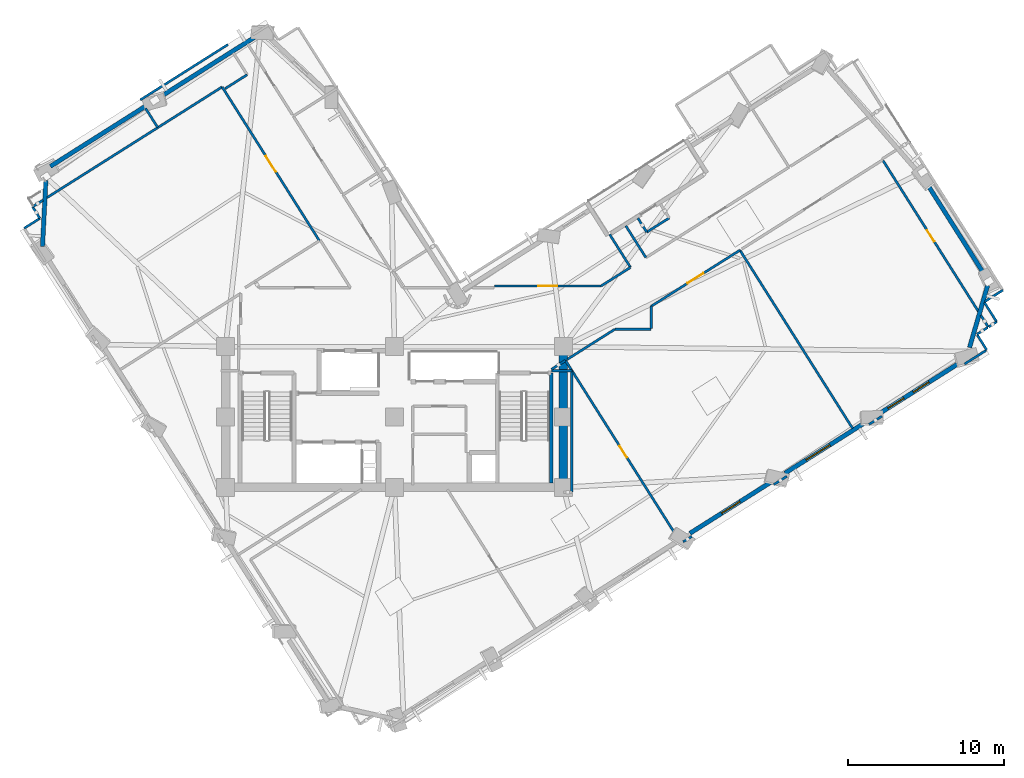
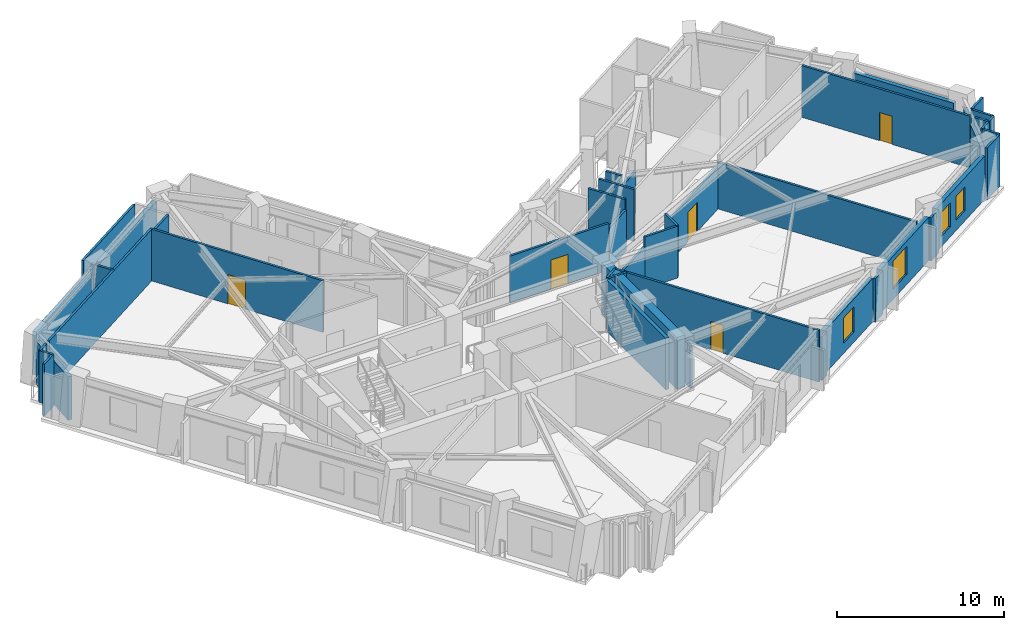
# One storey, part 7 of 14: 44 walls, 5 doors, 4 windows, 9 openings.
"""IFC4 building model written with IfcOpenShell, lengths in metres."""

import ifcopenshell
import ifcopenshell.guid

model = None  # the IFC model being written
_history = None  # IfcOwnerHistory: only IFC2X3 demands one
_inside = {}  # id of a spatial element -> (the spatial element, [elements in it])
_under = {}  # id of a project, library or spatial element -> (it, [spatial elements below it])
_declared = {}  # id of a project -> (the project, [libraries it declares])
_typed = {}  # id of a type object -> (the type object, [elements of that type])
_made_of = {}  # id of a material, layer set ... -> (it, [elements and type objects made of it])


def new_model(schema):
    """Start an empty IFC model of exactly this schema.

    Asked for "IFC4X3", IfcOpenShell would pick the latest addendum, in which some entities
    have other attributes; the version numbers below select the first issue.
    IFC2X3 requires an IfcOwnerHistory on every rooted entity: one is made here for all.
    """
    global model, _history
    if schema == "IFC4X3":
        model = ifcopenshell.file(schema_version=(4, 3, 0, 0))
    else:
        model = ifcopenshell.file(schema=schema)
    _inside.clear()
    _under.clear()
    _declared.clear()
    _typed.clear()
    _made_of.clear()
    _history = None
    if model.schema == "IFC2X3":
        org = make("IfcOrganization", Name="unknown")
        user = make(
            "IfcPersonAndOrganization",
            ThePerson=make("IfcPerson", FamilyName="unknown"),
            TheOrganization=org,
        )
        app = make(
            "IfcApplication",
            ApplicationDeveloper=org,
            Version="unknown",
            ApplicationFullName="unknown",
            ApplicationIdentifier="unknown",
        )
        _history = make(
            "IfcOwnerHistory",
            OwningUser=user,
            OwningApplication=app,
            ChangeAction="ADDED",
            CreationDate=0,
        )
    return model


def make(cls, **values):
    """One entity of the class cls with the attributes given. An attribute that is None is left unset."""
    return model.create_entity(
        cls, **{name: value for name, value in values.items() if value is not None}
    )


def rooted(cls, **values):
    """An entity with a GlobalId (a new one), such as an element, a storey or a relation."""
    return make(cls, GlobalId=ifcopenshell.guid.new(), OwnerHistory=_history, **values)


def si_unit(unit_type, name, prefix=None):
    """IfcSIUnit, for example si_unit("LENGTHUNIT", "METRE", prefix="MILLI")."""
    return make("IfcSIUnit", UnitType=unit_type, Prefix=prefix, Name=name)


def assignment(units):
    """IfcUnitAssignment: the units of a project."""
    return None if units is None else make("IfcUnitAssignment", Units=units)


def point(xyz):
    """IfcCartesianPoint."""
    return None if xyz is None else make("IfcCartesianPoint", Coordinates=xyz)


def direction(xyz):
    """IfcDirection."""
    return None if xyz is None else make("IfcDirection", DirectionRatios=xyz)


def frame(location, z_axis=None, x_axis=None):
    """IfcAxis2Placement3D, a coordinate frame: its origin and axes. An axis left out is left unset."""
    return make(
        "IfcAxis2Placement3D",
        Location=point(location),
        Axis=direction(z_axis),
        RefDirection=direction(x_axis),
    )


def frame_2d(location, x_axis=None):
    """IfcAxis2Placement2D, a coordinate frame in the plane: its origin and x axis."""
    return make(
        "IfcAxis2Placement2D", Location=point(location), RefDirection=direction(x_axis)
    )


def origin():
    """The frame at (0, 0, 0) with its axes left unset."""
    return frame((0.0, 0.0, 0.0))


def place(relative_to, where):
    """IfcLocalPlacement: puts the frame where relative to a parent placement (None: the world)."""
    return make(
        "IfcLocalPlacement", PlacementRelTo=relative_to, RelativePlacement=where
    )


def context(
    kind, dimensions, precision=None, world=None, true_north=None, identifier=None
):
    """IfcGeometricRepresentationContext, for example the 3D "Model" context."""
    return make(
        "IfcGeometricRepresentationContext",
        ContextIdentifier=identifier,
        ContextType=kind,
        CoordinateSpaceDimension=dimensions,
        Precision=precision,
        WorldCoordinateSystem=world,
        TrueNorth=true_north,
    )


def subcontext(parent, identifier, kind, view, scale=None):
    """IfcGeometricRepresentationSubContext, for example "Body" below "Model"."""
    return make(
        "IfcGeometricRepresentationSubContext",
        ContextIdentifier=identifier,
        ContextType=kind,
        ParentContext=parent,
        TargetScale=scale,
        TargetView=view,
    )


def project(units=None, contexts=None):
    """IfcProject with its units and contexts."""
    return rooted(
        "IfcProject",
        Name="project",
        RepresentationContexts=contexts,
        UnitsInContext=assignment(units),
    )


def spatial(cls, under=None, at=None, **own):
    """A site, building, storey or space (cls), placed at a placement, below another one or the project."""
    s = rooted(cls, ObjectPlacement=at, **own)
    if under is not None:
        _under.setdefault(under.id(), (under, []))[1].append(s)
    return s


def profile(cls, at=None, kind="AREA", **sizes):
    """A parametric profile (cls). Its sizes go by their IFC names, for example OverallWidth=200.0."""
    return make(cls, ProfileType=kind, Position=at, **sizes)


def rectangle(**sizes):
    """IfcRectangleProfileDef."""
    return profile("IfcRectangleProfileDef", **sizes)


def extrude(swept, where, along, depth):
    """IfcExtrudedAreaSolid: the profile swept, set in the frame where, extruded along a direction by depth."""
    return make(
        "IfcExtrudedAreaSolid",
        SweptArea=swept,
        Position=where,
        ExtrudedDirection=direction(along),
        Depth=depth,
    )


def shape(context_of_items, identifier, shape_type, items):
    """IfcShapeRepresentation: the items that make up one representation, for example the "Body"."""
    return make(
        "IfcShapeRepresentation",
        ContextOfItems=context_of_items,
        RepresentationIdentifier=identifier,
        RepresentationType=shape_type,
        Items=items,
    )


def material(Name=None, Category=None):
    """IfcMaterial."""
    return make("IfcMaterial", Name=Name, Category=Category)


def layer(
    of_material, thickness, ventilated=None, Name=None, Category=None, Priority=None
):
    """IfcMaterialLayer: one layer of a wall or slab, of a material (None: an air gap)."""
    return make(
        "IfcMaterialLayer",
        Material=of_material,
        LayerThickness=thickness,
        IsVentilated=ventilated,
        Name=Name,
        Category=Category,
        Priority=Priority,
    )


def layer_set(layers, Name=None):
    """IfcMaterialLayerSet."""
    return make("IfcMaterialLayerSet", MaterialLayers=layers, LayerSetName=Name)


def made_of(thing, what):
    """Note that an element or type object is made of a material, layer set ...; save() writes the relation."""
    if what is not None:
        _made_of.setdefault(what.id(), (what, []))[1].append(thing)
    return thing


def type_object(cls, material=None, **own):
    """A type object (cls), such as IfcWallType, which elements share."""
    return made_of(rooted(cls, **own), material)


def element(
    cls,
    number,
    at=None,
    inside=None,
    cuts=None,
    type_object=None,
    material=None,
    context=None,
    identifier="Body",
    shape_type=None,
    held_by="IfcProductDefinitionShape",
    body=None,
    shapes=None,
    **own,
):
    """One element of the class cls, such as IfcWall. Its Tag is "e" and its number.

    at: its placement. inside: the storey or other place that contains it. cuts: it is an
    opening in that element (IfcRelVoidsElement). A single representation is given by context,
    identifier, shape_type and body (its items); several are given by shapes. held_by: the class
    of the entity that holds the representations. save() writes the other relations.
    """
    e = rooted(cls, Tag="e%d" % number, ObjectPlacement=at, **own)
    if body is not None:
        shapes = [shape(context, identifier, shape_type, body)]
    if shapes is not None:
        e.Representation = make(held_by, Representations=shapes)
    if inside is not None:
        _inside.setdefault(inside.id(), (inside, []))[1].append(e)
    if cuts is not None:
        rooted(
            "IfcRelVoidsElement", RelatingBuildingElement=cuts, RelatedOpeningElement=e
        )
    if type_object is not None:
        _typed.setdefault(type_object.id(), (type_object, []))[1].append(e)
    return made_of(e, material)


def fill(opening, filler):
    """IfcRelFillsElement: the door or window that sits in an opening."""
    return rooted(
        "IfcRelFillsElement",
        RelatingOpeningElement=opening,
        RelatedBuildingElement=filler,
    )


def aggregate(whole, parts):
    """IfcRelAggregates: a whole, such as a stair, and the parts it consists of."""
    return rooted("IfcRelAggregates", RelatingObject=whole, RelatedObjects=parts)


def save(model, path):
    """Write the relations noted so far, then the file.

    IfcRelAggregates (storeys below a building ...), IfcRelContainedInSpatialStructure (elements
    in a storey), IfcRelDefinesByType, IfcRelAssociatesMaterial and IfcRelDeclares: one each for
    every whole, place, type object, material and project.
    """
    for whole, parts in _under.values():
        aggregate(whole, parts)
    for where, things in _inside.values():
        rooted(
            "IfcRelContainedInSpatialStructure",
            RelatedElements=things,
            RelatingStructure=where,
        )
    for kind, things in _typed.values():
        rooted("IfcRelDefinesByType", RelatedObjects=things, RelatingType=kind)
    for what, things in _made_of.values():
        rooted("IfcRelAssociatesMaterial", RelatedObjects=things, RelatingMaterial=what)
    for by, libraries in _declared.values():
        rooted("IfcRelDeclares", RelatingContext=by, RelatedDefinitions=libraries)
    model.write(path)


model = new_model("IFC4")

# Units and contexts
model_context = context("Model", 3, precision=1e-05, world=origin(), true_north=direction((0.0, 1.0)))
body_context = subcontext(model_context, "Body", "Model", "MODEL_VIEW")
ifc_project = project(units=[si_unit("LENGTHUNIT", "METRE"), si_unit("AREAUNIT", "SQUARE_METRE"), si_unit("VOLUMEUNIT", "CUBIC_METRE"), si_unit("PLANEANGLEUNIT", "RADIAN"), si_unit("MASSUNIT", "GRAM", prefix="KILO")], contexts=[model_context])

# Site, building, storey
site_placement = place(None, origin())
site = spatial("IfcSite", under=ifc_project, at=site_placement, CompositionType="ELEMENT")
building_placement = place(site_placement, origin())
building = spatial("IfcBuilding", under=site, at=building_placement, Name="Gaonmaruhae Medical Tower", CompositionType="ELEMENT")
storey_placement = place(building_placement, frame((0.0, 0.0, 161.800048828125)))
storey = spatial("IfcBuildingStorey", under=building, at=storey_placement, Name="L38", CompositionType="ELEMENT", Elevation=161.800048828125)

# Wall
ifc_material_1 = material(Name="Concrete C50/60", Category="concrete")
ifc_layer_1 = layer(ifc_material_1, 0.550048828125)
ifc_layer_set_1 = layer_set([ifc_layer_1], Name="Concrete C50/60")
wall_type_1 = type_object("IfcWallType", Name="CW-550 Mid-High Core Shear Wall", PredefinedType="SHEAR", material=ifc_layer_set_1)
wall_1_placement = place(storey_placement, frame((35.60009765625, 7.800048828125, 0.0), z_axis=(0.0, 0.0, 1.0), x_axis=(0.0, 1.0, 0.0)))
element("IfcWall", 1, at=wall_1_placement, inside=storey, type_object=wall_type_1, Name="L38 Core Shear Wall CSW-E1", PredefinedType="SHEAR", context=body_context, shape_type="SweptSolid", body=[
    extrude(rectangle(XDim=9.0, YDim=0.550048828125, at=frame_2d((4.5, 0.0))), origin(), (0.0, 0.0, 1.0), 3.780029296875),
])

# Wall, opening, window
ifc_material_2 = material(Name="Precast concrete C45/55", Category="concrete")
ifc_layer_2 = layer(ifc_material_2, 0.280029296875)
ifc_layer_set_2 = layer_set([ifc_layer_2], Name="Precast concrete C45/55")
wall_type_2 = type_object("IfcWallType", Name="EW-280 Upper Precast Masonry-Frame Facade Wall", PredefinedType="SOLIDWALL", material=ifc_layer_set_2)
wall_2_placement = place(storey_placement, frame((48.94580078125, 8.177978515625, 0.0), z_axis=(0.0, 0.0, 1.0), x_axis=(-0.845265511335, -0.534346531147, 0.0)))
wall_2 = element("IfcWall", 2, at=wall_2_placement, inside=storey, type_object=wall_type_2, Name="L38 Precast Masonry-Frame Wall S04-S05", PredefinedType="SOLIDWALL", context=body_context, shape_type="SweptSolid", body=[
    extrude(rectangle(XDim=6.208740234375, YDim=0.280029296875, at=frame_2d((3.1044921875, 0.0))), origin(), (0.0, 0.0, 1.0), 3.1650390625),
])
opening_1_placement = place(wall_2_placement, frame((2.40478515625, 0.0, 0.75)))
opening_1 = element("IfcOpeningElement", 3, at=opening_1_placement, cuts=wall_2, Name="Opening WN-03", PredefinedType="OPENING", context=body_context, shape_type="SweptSolid", body=[
    extrude(rectangle(XDim=1.39990234375, YDim=1.85009765625, at=frame_2d((0.699951171875, 0.925048828125))), frame((0.0, 0.14990234375, 0.0), z_axis=(0.0, -1.0, 0.0), x_axis=(1.0, 0.0, 0.0)), (0.0, 0.0, 1.0), 0.300048828125),
])
ifc_material_3 = material(Name="Anodised aluminium and Low-E double glazing", Category="aluminium")
window_type_1 = type_object("IfcWindowType", Name="WN-03 Isolation Ward Punched Window 1400x1850", PartitioningType="SINGLE_PANEL", PredefinedType="WINDOW", material=ifc_material_3)
window_1_placement = place(opening_1_placement, origin())
window_1 = element("IfcWindow", 4, at=window_1_placement, inside=storey, type_object=window_type_1, Name="L38 Modular Facade Window S04", OverallHeight=1.85009765625, OverallWidth=1.39990234375, PartitioningType="SINGLE_PANEL", PredefinedType="WINDOW", context=body_context, shape_type="SweptSolid", body=[
    extrude(rectangle(XDim=1.39990234375, YDim=1.85009765625, at=frame_2d((0.699951171875, 0.925048828125))), frame((0.0, 0.030029296875, 0.0), z_axis=(0.0, -1.0, 0.0), x_axis=(1.0, 0.0, 0.0)), (0.0, 0.0, 1.0), 0.06005859375),
])
fill(opening_1, window_1)

wall_3_placement = place(storey_placement, frame((55.038330078125, 12.029541015625, 0.0), z_axis=(0.0, 0.0, 1.0), x_axis=(-0.845251842868, -0.53436815224, 0.0)))
wall_3 = element("IfcWall", 5, at=wall_3_placement, inside=storey, type_object=wall_type_2, Name="L38 Precast Masonry-Frame Wall S05-S06", PredefinedType="SOLIDWALL", context=body_context, shape_type="SweptSolid", body=[
    extrude(rectangle(XDim=6.218017578125, YDim=0.280029296875, at=frame_2d((3.10888671875, 0.0))), origin(), (0.0, 0.0, 1.0), 3.1650390625),
])
opening_2_placement = place(wall_3_placement, frame((2.829833984375, 0.0, 0.75)))
opening_2 = element("IfcOpeningElement", 6, at=opening_2_placement, cuts=wall_3, Name="Opening WN-04", PredefinedType="OPENING", context=body_context, shape_type="SweptSolid", body=[
    extrude(rectangle(XDim=1.800048828125, YDim=2.050048828125, at=frame_2d((0.89990234375, 1.02490234375))), frame((0.0, 0.14990234375, 0.0), z_axis=(0.0, -1.0, 0.0), x_axis=(1.0, 0.0, 0.0)), (0.0, 0.0, 1.0), 0.300048828125),
])
window_type_2 = type_object("IfcWindowType", Name="WN-04 Clinic & Consult Punched Window 1800x2050", PartitioningType="SINGLE_PANEL", PredefinedType="WINDOW", material=ifc_material_3)
window_2_placement = place(opening_2_placement, origin())
window_2 = element("IfcWindow", 7, at=window_2_placement, inside=storey, type_object=window_type_2, Name="L38 Modular Facade Window S05", OverallHeight=2.050048828125, OverallWidth=1.800048828125, PartitioningType="SINGLE_PANEL", PredefinedType="WINDOW", context=body_context, shape_type="SweptSolid", body=[
    extrude(rectangle(XDim=1.800048828125, YDim=2.050048828125, at=frame_2d((0.89990234375, 1.02490234375))), frame((0.0, 0.030029296875, 0.0), z_axis=(0.0, -1.0, 0.0), x_axis=(1.0, 0.0, 0.0)), (0.0, 0.0, 1.0), 0.06005859375),
])
fill(opening_2, window_2)

# Wall, openings, windows
wall_4_placement = place(storey_placement, frame((61.13720703125, 15.885009765625, 0.0), z_axis=(0.0, 0.0, 1.0), x_axis=(-0.845271359126, -0.534337280602, 0.0)))
wall_4 = element("IfcWall", 8, at=wall_4_placement, inside=storey, type_object=wall_type_2, Name="L38 Precast Masonry-Frame Wall S06-S07", PredefinedType="SOLIDWALL", context=body_context, shape_type="SweptSolid", body=[
    extrude(rectangle(XDim=6.2421875, YDim=0.280029296875, at=frame_2d((3.12109375, 0.0))), origin(), (0.0, 0.0, 1.0), 3.1650390625),
])
opening_3_placement = place(wall_4_placement, frame((2.525146484375, 0.0, 0.75)))
opening_3 = element("IfcOpeningElement", 9, at=opening_3_placement, cuts=wall_4, Name="Opening WN-05", PredefinedType="OPENING", context=body_context, shape_type="SweptSolid", body=[
    extrude(rectangle(XDim=1.199951171875, YDim=1.75, at=frame_2d((0.60009765625, 0.875))), frame((0.0, 0.14990234375, 0.0), z_axis=(0.0, -1.0, 0.0), x_axis=(1.0, 0.0, 0.0)), (0.0, 0.0, 1.0), 0.300048828125),
])
opening_4_placement = place(wall_4_placement, frame((4.4462890625, 0.0, 0.75)))
opening_4 = element("IfcOpeningElement", 10, at=opening_4_placement, cuts=wall_4, Name="Opening WN-05", PredefinedType="OPENING", context=body_context, shape_type="SweptSolid", body=[
    extrude(rectangle(XDim=1.199951171875, YDim=1.75, at=frame_2d((0.60009765625, 0.875))), frame((0.0, 0.14990234375, 0.0), z_axis=(0.0, -1.0, 0.0), x_axis=(1.0, 0.0, 0.0)), (0.0, 0.0, 1.0), 0.300048828125),
])
window_type_3 = type_object("IfcWindowType", Name="WN-05 Support & Staff Punched Window 1200x1750", PartitioningType="SINGLE_PANEL", PredefinedType="WINDOW", material=ifc_material_3)
window_3_placement = place(opening_3_placement, origin())
window_3 = element("IfcWindow", 11, at=window_3_placement, inside=storey, type_object=window_type_3, Name="L38 Modular Facade Window S06", OverallHeight=1.75, OverallWidth=1.199951171875, PartitioningType="SINGLE_PANEL", PredefinedType="WINDOW", context=body_context, shape_type="SweptSolid", body=[
    extrude(rectangle(XDim=1.199951171875, YDim=1.75, at=frame_2d((0.60009765625, 0.875))), frame((0.0, 0.030029296875, 0.0), z_axis=(0.0, -1.0, 0.0), x_axis=(1.0, 0.0, 0.0)), (0.0, 0.0, 1.0), 0.06005859375),
])
fill(opening_3, window_3)
window_4_placement = place(opening_4_placement, origin())
window_4 = element("IfcWindow", 12, at=window_4_placement, inside=storey, type_object=window_type_3, Name="L38 Modular Facade Window S06B", OverallHeight=1.75, OverallWidth=1.199951171875, PartitioningType="SINGLE_PANEL", PredefinedType="WINDOW", context=body_context, shape_type="SweptSolid", body=[
    extrude(rectangle(XDim=1.199951171875, YDim=1.75, at=frame_2d((0.60009765625, 0.875))), frame((0.0, 0.030029296875, 0.0), z_axis=(0.0, -1.0, 0.0), x_axis=(1.0, 0.0, 0.0)), (0.0, 0.0, 1.0), 0.06005859375),
])
fill(opening_4, window_4)

# Walls
wall_5_placement = place(storey_placement, frame((62.746826171875, 20.7265625, 0.0), z_axis=(0.0, 0.0, 1.0), x_axis=(-0.279882390753, -0.96003429488, 0.0)))
element("IfcWall", 13, at=wall_5_placement, inside=storey, type_object=wall_type_2, Name="L38 Precast Masonry-Frame Wall S07-E01", PredefinedType="SOLIDWALL", context=body_context, shape_type="SweptSolid", body=[
    extrude(rectangle(XDim=4.145263671875, YDim=0.280029296875, at=frame_2d((2.07275390625, 0.0))), origin(), (0.0, 0.0, 1.0), 3.1650390625),
])
wall_6_placement = place(storey_placement, frame((58.809814453125, 27.309814453125, 0.0), z_axis=(0.0, 0.0, 1.0), x_axis=(0.534364927874, -0.845253881303, 0.0)))
element("IfcWall", 14, at=wall_6_placement, inside=storey, type_object=wall_type_2, Name="L38 Precast Masonry-Frame Wall E01-E02", PredefinedType="SOLIDWALL", context=body_context, shape_type="SweptSolid", body=[
    extrude(rectangle(XDim=6.83984375, YDim=0.280029296875, at=frame_2d((3.419921875, 0.0))), origin(), (0.0, 0.0, 1.0), 3.1650390625),
])
wall_7_placement = place(storey_placement, frame((9.739501953125, 32.7265625, 0.0), z_axis=(0.0, 0.0, 1.0), x_axis=(0.845259360398, 0.534356260991, 0.0)))
element("IfcWall", 15, at=wall_7_placement, inside=storey, type_object=wall_type_2, Name="L38 Precast Masonry-Frame Wall N01-N02", PredefinedType="SOLIDWALL", context=body_context, shape_type="SweptSolid", body=[
    extrude(rectangle(XDim=7.230712890625, YDim=0.280029296875, at=frame_2d((3.615234375, 0.0))), origin(), (0.0, 0.0, 1.0), 3.1650390625),
])
wall_8_placement = place(storey_placement, frame((2.78759765625, 28.331787109375, 0.0), z_axis=(0.0, 0.0, 1.0), x_axis=(0.845259004131, 0.534356824543, 0.0)))
element("IfcWall", 16, at=wall_8_placement, inside=storey, type_object=wall_type_2, Name="L38 Precast Masonry-Frame Wall N02-N03", PredefinedType="SOLIDWALL", context=body_context, shape_type="SweptSolid", body=[
    extrude(rectangle(XDim=7.27001953125, YDim=0.280029296875, at=frame_2d((3.635009765625, 0.0))), origin(), (0.0, 0.0, 1.0), 3.1650390625),
])
wall_9_placement = place(storey_placement, frame((2.28759765625, 23.216796875, 0.0), z_axis=(0.0, 0.0, 1.0), x_axis=(0.050854394157, 0.998706078181, 0.0)))
element("IfcWall", 17, at=wall_9_placement, inside=storey, type_object=wall_type_2, Name="L38 Precast Masonry-Frame Wall N03-W01", PredefinedType="SOLIDWALL", context=body_context, shape_type="SweptSolid", body=[
    extrude(rectangle(XDim=4.210205078125, YDim=0.280029296875, at=frame_2d((2.10498046875, 0.0))), origin(), (0.0, 0.0, 1.0), 3.1650390625),
])
ifc_material_4 = material(Name="Gypsum board partition", Category="gypsum")
ifc_layer_3 = layer(ifc_material_4, 0.14990234375)
ifc_layer_set_3 = layer_set([ifc_layer_3], Name="Gypsum board partition")
wall_type_3 = type_object("IfcWallType", Name="PW-150 Rated Clinical Corridor Partition", PredefinedType="PARTITIONING", material=ifc_layer_set_3)
wall_10_placement = place(storey_placement, frame((36.14990234375, 15.260009765625, 0.0), z_axis=(0.0, 0.0, 1.0), x_axis=(-1.0, 0.0, 0.0)))
element("IfcWall", 18, at=wall_10_placement, inside=storey, type_object=wall_type_3, Name="L38 Interior Partition L38-SUP02-15", PredefinedType="PARTITIONING", context=body_context, shape_type="SweptSolid", body=[
    extrude(rectangle(XDim=1.2998046875, YDim=0.14990234375, at=frame_2d((0.64990234375, 0.0))), origin(), (0.0, 0.0, 1.0), 3.780029296875),
])
wall_11_placement = place(storey_placement, frame((34.85009765625, 15.35693359375, 0.0), z_axis=(0.0, 0.0, 1.0), x_axis=(0.84534574495, 0.534219591081, 0.0)))
element("IfcWall", 19, at=wall_11_placement, inside=storey, type_object=wall_type_3, Name="L38 Interior Partition L38-SUP02-16", PredefinedType="PARTITIONING", context=body_context, shape_type="SweptSolid", body=[
    extrude(rectangle(XDim=1.053955078125, YDim=0.14990234375, at=frame_2d((0.52685546875, 0.0))), origin(), (0.0, 0.0, 1.0), 3.780029296875),
])

# Wall, opening, door
wall_12_placement = place(storey_placement, frame((35.740966796875, 15.919921875, 0.0), z_axis=(0.0, 0.0, 1.0), x_axis=(0.534355579838, -0.845259791008, 0.0)))
wall_12 = element("IfcWall", 20, at=wall_12_placement, inside=storey, type_object=wall_type_3, Name="L38 Interior Partition L38-SUP02-17", PredefinedType="PARTITIONING", context=body_context, shape_type="SweptSolid", body=[
    extrude(rectangle(XDim=13.830078125, YDim=0.14990234375, at=frame_2d((6.9150390625, 0.0))), origin(), (0.0, 0.0, 1.0), 3.780029296875),
])
opening_5_placement = place(wall_12_placement, frame((6.485107421875, 0.0, 0.0)))
opening_5 = element("IfcOpeningElement", 21, at=opening_5_placement, cuts=wall_12, Name="Opening AD-01", PredefinedType="OPENING", context=body_context, shape_type="SweptSolid", body=[
    extrude(rectangle(XDim=0.860107421875, YDim=2.06005859375, at=frame_2d((0.43017578125, 1.030029296875))), frame((0.0, 0.0849609375, 0.0), z_axis=(0.0, -1.0, 0.0), x_axis=(1.0, 0.0, 0.0)), (0.0, 0.0, 1.0), 0.169921875),
])
ifc_material_5 = material(Name="Powder-coated steel access door", Category="steel")
door_type_1 = type_object("IfcDoorType", Name="AD-01 Riser & Closet Access Fire Door 860x2060", OperationType="NOTDEFINED", PredefinedType="DOOR", material=ifc_material_5)
door_1_placement = place(opening_5_placement, origin())
door_1 = element("IfcDoor", 22, at=door_1_placement, inside=storey, type_object=door_type_1, Name="L38 Clinical Biomedical Charting Office Sliding Door", OperationType="SLIDING_TO_LEFT", OverallHeight=2.06005859375, OverallWidth=0.860107421875, PredefinedType="DOOR", context=body_context, shape_type="SweptSolid", body=[
    extrude(rectangle(XDim=0.860107421875, YDim=2.06005859375, at=frame_2d((0.43017578125, 1.030029296875))), frame((0.0, 0.02490234375, 0.0), z_axis=(0.0, -1.0, 0.0), x_axis=(1.0, 0.0, 0.0)), (0.0, 0.0, 1.0), 0.050048828125),
])
fill(opening_5, door_1)

# Walls
wall_13_placement = place(storey_placement, frame((36.14990234375, 7.5, 0.0), z_axis=(0.0, 0.0, 1.0), x_axis=(0.0, 1.0, 0.0)))
element("IfcWall", 23, at=wall_13_placement, inside=storey, type_object=wall_type_3, Name="L38 Interior Partition L38-SUP02-20", PredefinedType="PARTITIONING", context=body_context, shape_type="SweptSolid", body=[
    extrude(rectangle(XDim=7.760009765625, YDim=0.14990234375, at=frame_2d((3.8798828125, 0.0))), origin(), (0.0, 0.0, 1.0), 3.06494140625),
])
wall_14_placement = place(storey_placement, frame((41.22998046875, 17.949951171875, 0.0), z_axis=(0.0, 0.0, 1.0), x_axis=(0.0, 1.0, 0.0)))
element("IfcWall", 24, at=wall_14_placement, inside=storey, type_object=wall_type_3, Name="L38 Interior Partition L38-SUP03-21", PredefinedType="PARTITIONING", context=body_context, shape_type="SweptSolid", body=[
    extrude(rectangle(XDim=1.43994140625, YDim=0.14990234375, at=frame_2d((0.719970703125, 0.0))), origin(), (0.0, 0.0, 1.0), 3.780029296875),
])

# Wall, opening, door
wall_15_placement = place(storey_placement, frame((41.22998046875, 19.389892578125, 0.0), z_axis=(0.0, 0.0, 1.0), x_axis=(0.845230176883, 0.534402421482, 0.0)))
wall_15 = element("IfcWall", 25, at=wall_15_placement, inside=storey, type_object=wall_type_3, Name="L38 Interior Partition L38-SUP03-22", PredefinedType="PARTITIONING", context=body_context, shape_type="SweptSolid", body=[
    extrude(rectangle(XDim=6.70703125, YDim=0.14990234375, at=frame_2d((3.353515625, 0.0))), origin(), (0.0, 0.0, 1.0), 3.06494140625),
])
opening_6_placement = place(wall_15_placement, frame((2.75341796875, 0.0, 0.0)))
opening_6 = element("IfcOpeningElement", 26, at=opening_6_placement, cuts=wall_15, Name="Opening CD-02", PredefinedType="OPENING", context=body_context, shape_type="SweptSolid", body=[
    extrude(rectangle(XDim=1.199951171875, YDim=2.14990234375, at=frame_2d((0.60009765625, 1.074951171875))), frame((0.0, 0.0849609375, 0.0), z_axis=(0.0, -1.0, 0.0), x_axis=(1.0, 0.0, 0.0)), (0.0, 0.0, 1.0), 0.169921875),
])
ifc_material_6 = material(Name="Antimicrobial laminate timber fire door", Category="wood")
door_type_2 = type_object("IfcDoorType", Name="CD-02 Clinical Treatment & Procedure Door 1200x2150", OperationType="NOTDEFINED", PredefinedType="DOOR", material=ifc_material_6)
door_2_placement = place(opening_6_placement, origin())
door_2 = element("IfcDoor", 27, at=door_2_placement, inside=storey, type_object=door_type_2, Name="L38 Clinical Biomedical Charting Office Door", OperationType="SINGLE_SWING_RIGHT", OverallHeight=2.14990234375, OverallWidth=1.199951171875, PredefinedType="DOOR", context=body_context, shape_type="SweptSolid", body=[
    extrude(rectangle(XDim=1.199951171875, YDim=2.14990234375, at=frame_2d((0.60009765625, 1.074951171875))), frame((0.0, 0.02490234375, 0.0), z_axis=(0.0, -1.0, 0.0), x_axis=(1.0, 0.0, 0.0)), (0.0, 0.0, 1.0), 0.050048828125),
])
fill(opening_6, door_2)

# Walls
wall_16_placement = place(storey_placement, frame((46.89892578125, 22.97412109375, 0.0), z_axis=(0.0, 0.0, 1.0), x_axis=(0.534341679517, -0.845268578341, 0.0)))
element("IfcWall", 28, at=wall_16_placement, inside=storey, type_object=wall_type_3, Name="L38 Interior Partition L38-SUP03-23", PredefinedType="PARTITIONING", context=body_context, shape_type="SweptSolid", body=[
    extrude(rectangle(XDim=13.48583984375, YDim=0.14990234375, at=frame_2d((6.742919921875, 0.0))), origin(), (0.0, 0.0, 1.0), 3.4150390625),
])
wall_17_placement = place(storey_placement, frame((49.905029296875, 8.512939453125, 0.0), z_axis=(0.0, 0.0, 1.0), x_axis=(-0.844990078889, -0.534781980418, 0.0)))
element("IfcWall", 29, at=wall_17_placement, inside=storey, type_object=wall_type_3, Name="L38 Interior Partition L38-SUP03-24", PredefinedType="PARTITIONING", context=body_context, shape_type="SweptSolid", body=[
    extrude(rectangle(XDim=0.9892578125, YDim=0.14990234375, at=frame_2d((0.49462890625, 0.0))), origin(), (0.0, 0.0, 1.0), 3.1650390625),
])
wall_18_placement = place(storey_placement, frame((43.821044921875, 4.666015625, 0.0), z_axis=(0.0, 0.0, 1.0), x_axis=(-0.845329514709, -0.534245272849, 0.0)))
element("IfcWall", 30, at=wall_18_placement, inside=storey, type_object=wall_type_3, Name="L38 Interior Partition L38-SUP03-25", PredefinedType="PARTITIONING", context=body_context, shape_type="SweptSolid", body=[
    extrude(rectangle(XDim=0.6552734375, YDim=0.14990234375, at=frame_2d((0.32763671875, 0.0))), origin(), (0.0, 0.0, 1.0), 3.1650390625),
])
wall_19_placement = place(storey_placement, frame((35.876953125, 16.006103515625, 0.0), z_axis=(0.0, 0.0, 1.0), x_axis=(0.845318811602, 0.534262207865, 0.0)))
element("IfcWall", 31, at=wall_19_placement, inside=storey, type_object=wall_type_3, Name="L38 Interior Partition L38-SUP03-26", PredefinedType="PARTITIONING", context=body_context, shape_type="SweptSolid", body=[
    extrude(rectangle(XDim=3.582275390625, YDim=0.14990234375, at=frame_2d((1.791015625, 0.0))), origin(), (0.0, 0.0, 1.0), 3.06494140625),
])
wall_20_placement = place(storey_placement, frame((38.905029296875, 17.919921875, 0.0), z_axis=(0.0, 0.0, 1.0), x_axis=(1.0, 0.0, 0.0)))
element("IfcWall", 32, at=wall_20_placement, inside=storey, type_object=wall_type_3, Name="L38 Interior Partition L38-SUP03-27", PredefinedType="PARTITIONING", context=body_context, shape_type="SweptSolid", body=[
    extrude(rectangle(XDim=2.2978515625, YDim=0.14990234375, at=frame_2d((1.14892578125, 0.0))), origin(), (0.0, 0.0, 1.0), 3.780029296875),
])

# Wall, opening, door
wall_21_placement = place(storey_placement, frame((56.054931640625, 28.702880859375, 0.0), z_axis=(0.0, 0.0, 1.0), x_axis=(0.534282303531, -0.845306110314, 0.0)))
wall_21 = element("IfcWall", 33, at=wall_21_placement, inside=storey, type_object=wall_type_3, Name="L38 Interior Partition L38-SUP04-29", PredefinedType="PARTITIONING", context=body_context, shape_type="SweptSolid", body=[
    extrude(rectangle(XDim=11.396728515625, YDim=0.14990234375, at=frame_2d((5.6982421875, 0.0))), origin(), (0.0, 0.0, 1.0), 3.780029296875),
])
opening_7_placement = place(wall_21_placement, frame((5.2685546875, 0.0, 0.0)))
opening_7 = element("IfcOpeningElement", 34, at=opening_7_placement, cuts=wall_21, Name="Opening AD-01", PredefinedType="OPENING", context=body_context, shape_type="SweptSolid", body=[
    extrude(rectangle(XDim=0.860107421875, YDim=2.06005859375, at=frame_2d((0.43017578125, 1.030029296875))), frame((0.0, 0.0849609375, 0.0), z_axis=(0.0, -1.0, 0.0), x_axis=(1.0, 0.0, 0.0)), (0.0, 0.0, 1.0), 0.169921875),
])
door_3_placement = place(opening_7_placement, origin())
door_3 = element("IfcDoor", 35, at=door_3_placement, inside=storey, type_object=door_type_1, Name="L38 Biomedical Mobile Equipment Bay Sliding Door", OperationType="SLIDING_TO_LEFT", OverallHeight=2.06005859375, OverallWidth=0.860107421875, PredefinedType="DOOR", context=body_context, shape_type="SweptSolid", body=[
    extrude(rectangle(XDim=0.860107421875, YDim=2.06005859375, at=frame_2d((0.43017578125, 1.030029296875))), frame((0.0, 0.02490234375, 0.0), z_axis=(0.0, -1.0, 0.0), x_axis=(1.0, 0.0, 0.0)), (0.0, 0.0, 1.0), 0.050048828125),
])
fill(opening_7, door_3)

# Walls
wall_22_placement = place(storey_placement, frame((62.30810546875, 18.81005859375, 0.0), z_axis=(0.0, 0.0, 1.0), x_axis=(0.534177361829, -0.845372430417, 0.0)))
element("IfcWall", 36, at=wall_22_placement, inside=storey, type_object=wall_type_3, Name="L38 Interior Partition L38-SUP04-30", PredefinedType="PARTITIONING", context=body_context, shape_type="SweptSolid", body=[
    extrude(rectangle(XDim=0.896728515625, YDim=0.14990234375, at=frame_2d((0.4482421875, 0.0))), origin(), (0.0, 0.0, 1.0), 3.780029296875),
])
wall_23_placement = place(storey_placement, frame((62.7451171875, 18.02490234375, 0.0), z_axis=(0.0, 0.0, 1.0), x_axis=(-0.845752205071, -0.533575868661, 0.0)))
element("IfcWall", 37, at=wall_23_placement, inside=storey, type_object=wall_type_3, Name="L38 Interior Partition L38-SUP04-31", PredefinedType="PARTITIONING", context=body_context, shape_type="SweptSolid", body=[
    extrude(rectangle(XDim=0.81494140625, YDim=0.14990234375, at=frame_2d((0.407470703125, 0.0))), origin(), (0.0, 0.0, 1.0), 3.780029296875),
])
wall_24_placement = place(storey_placement, frame((62.0830078125, 17.548095703125, 0.0), z_axis=(0.0, 0.0, 1.0), x_axis=(0.534106701777, -0.845417075246, 0.0)))
element("IfcWall", 38, at=wall_24_placement, inside=storey, type_object=wall_type_3, Name="L38 Interior Partition L38-SUP04-32", PredefinedType="PARTITIONING", context=body_context, shape_type="SweptSolid", body=[
    extrude(rectangle(XDim=1.130859375, YDim=0.14990234375, at=frame_2d((0.5654296875, 0.0))), origin(), (0.0, 0.0, 1.0), 3.780029296875),
])
wall_25_placement = place(storey_placement, frame((62.64501953125, 16.56494140625, 0.0), z_axis=(0.0, 0.0, 1.0), x_axis=(-0.845418071895, -0.534105124215, 0.0)))
element("IfcWall", 39, at=wall_25_placement, inside=storey, type_object=wall_type_3, Name="L38 Interior Partition L38-SUP04-33", PredefinedType="PARTITIONING", context=body_context, shape_type="SweptSolid", body=[
    extrude(rectangle(XDim=1.63818359375, YDim=0.14990234375, at=frame_2d((0.819091796875, 0.0))), origin(), (0.0, 0.0, 1.0), 3.780029296875),
])
wall_26_placement = place(storey_placement, frame((55.98388671875, 12.35498046875, 0.0), z_axis=(0.0, 0.0, 1.0), x_axis=(-0.845381621372, -0.534162816233, 0.0)))
element("IfcWall", 40, at=wall_26_placement, inside=storey, type_object=wall_type_3, Name="L38 Interior Partition L38-SUP04-34", PredefinedType="PARTITIONING", context=body_context, shape_type="SweptSolid", body=[
    extrude(rectangle(XDim=0.9736328125, YDim=0.14990234375, at=frame_2d((0.48681640625, 0.0))), origin(), (0.0, 0.0, 1.0), 3.1650390625),
])
wall_27_placement = place(storey_placement, frame((1.118896484375, 24.37890625, 0.0), z_axis=(0.0, 0.0, 1.0), x_axis=(0.845572448889, 0.53386068752, 0.0)))
element("IfcWall", 41, at=wall_27_placement, inside=storey, type_object=wall_type_3, Name="L38 Interior Partition L38-WOF06-45", PredefinedType="PARTITIONING", context=body_context, shape_type="SweptSolid", body=[
    extrude(rectangle(XDim=1.180419921875, YDim=0.14990234375, at=frame_2d((0.59033203125, 0.0))), origin(), (0.0, 0.0, 1.0), 3.780029296875),
])
wall_28_placement = place(storey_placement, frame((2.116943359375, 25.009033203125, 0.0), z_axis=(0.0, 0.0, 1.0), x_axis=(-0.534527917605, 0.84515081808, 0.0)))
element("IfcWall", 42, at=wall_28_placement, inside=storey, type_object=wall_type_3, Name="L38 Interior Partition L38-WOF06-46", PredefinedType="PARTITIONING", context=body_context, shape_type="SweptSolid", body=[
    extrude(rectangle(XDim=0.87548828125, YDim=0.14990234375, at=frame_2d((0.437744140625, 0.0))), origin(), (0.0, 0.0, 1.0), 3.780029296875),
])
wall_29_placement = place(storey_placement, frame((1.64892578125, 25.7490234375, 0.0), z_axis=(0.0, 0.0, 1.0), x_axis=(0.845321531745, 0.534257903982, 0.0)))
element("IfcWall", 43, at=wall_29_placement, inside=storey, type_object=wall_type_3, Name="L38 Interior Partition L38-WOF06-47", PredefinedType="PARTITIONING", context=body_context, shape_type="SweptSolid", body=[
    extrude(rectangle(XDim=0.79736328125, YDim=0.14990234375, at=frame_2d((0.398681640625, 0.0))), origin(), (0.0, 0.0, 1.0), 3.780029296875),
])
wall_30_placement = place(storey_placement, frame((2.56103515625, 26.325927734375, 0.0), z_axis=(0.0, 0.0, 1.0), x_axis=(0.845284698624, 0.534316178187, 0.0)))
element("IfcWall", 44, at=wall_30_placement, inside=storey, type_object=wall_type_3, Name="L38 Interior Partition L38-WOF06-48", PredefinedType="PARTITIONING", context=body_context, shape_type="SweptSolid", body=[
    extrude(rectangle(XDim=13.271240234375, YDim=0.14990234375, at=frame_2d((6.6357421875, 0.0))), origin(), (0.0, 0.0, 1.0), 3.780029296875),
])

# Wall, opening, door
wall_31_placement = place(storey_placement, frame((13.779052734375, 33.4169921875, 0.0), z_axis=(0.0, 0.0, 1.0), x_axis=(0.534288889049, -0.84530194785, 0.0)))
wall_31 = element("IfcWall", 45, at=wall_31_placement, inside=storey, type_object=wall_type_3, Name="L38 Interior Partition L38-WOF06-49", PredefinedType="PARTITIONING", context=body_context, shape_type="SweptSolid", body=[
    extrude(rectangle(XDim=11.6396484375, YDim=0.14990234375, at=frame_2d((5.81982421875, 0.0))), origin(), (0.0, 0.0, 1.0), 3.780029296875),
])
opening_8_placement = place(wall_31_placement, frame((5.2197265625, 0.0, 0.0)))
opening_8 = element("IfcOpeningElement", 46, at=opening_8_placement, cuts=wall_31, Name="Opening CD-02", PredefinedType="OPENING", context=body_context, shape_type="SweptSolid", body=[
    extrude(rectangle(XDim=1.199951171875, YDim=2.14990234375, at=frame_2d((0.60009765625, 1.074951171875))), frame((0.0, 0.0849609375, 0.0), z_axis=(0.0, -1.0, 0.0), x_axis=(1.0, 0.0, 0.0)), (0.0, 0.0, 1.0), 0.169921875),
])
door_4_placement = place(opening_8_placement, origin())
door_4 = element("IfcDoor", 47, at=door_4_placement, inside=storey, type_object=door_type_2, Name="L38 Ward Physician Reporting Office Door", OperationType="SINGLE_SWING_RIGHT", OverallHeight=2.14990234375, OverallWidth=1.199951171875, PredefinedType="DOOR", context=body_context, shape_type="SweptSolid", body=[
    extrude(rectangle(XDim=1.199951171875, YDim=2.14990234375, at=frame_2d((0.60009765625, 1.074951171875))), frame((0.0, 0.02490234375, 0.0), z_axis=(0.0, -1.0, 0.0), x_axis=(1.0, 0.0, 0.0)), (0.0, 0.0, 1.0), 0.050048828125),
])
fill(opening_8, door_4)

# Walls
wall_32_placement = place(storey_placement, frame((38.56396484375, 23.987060546875, 0.0), z_axis=(0.0, 0.0, 1.0), x_axis=(0.534213358296, -0.845349683751, 0.0)))
element("IfcWall", 48, at=wall_32_placement, inside=storey, type_object=wall_type_3, Name="L38 Interior Partition L38-IE01-62", PredefinedType="PARTITIONING", context=body_context, shape_type="SweptSolid", body=[
    extrude(rectangle(XDim=2.500732421875, YDim=0.14990234375, at=frame_2d((1.25048828125, 0.0))), origin(), (0.0, 0.0, 1.0), 3.780029296875),
])
wall_33_placement = place(storey_placement, frame((39.89990234375, 21.873046875, 0.0), z_axis=(0.0, 0.0, 1.0), x_axis=(-0.845340806847, -0.534227405025, 0.0)))
element("IfcWall", 49, at=wall_33_placement, inside=storey, type_object=wall_type_3, Name="L38 Interior Partition L38-IE01-63", PredefinedType="PARTITIONING", context=body_context, shape_type="SweptSolid", body=[
    extrude(rectangle(XDim=2.2333984375, YDim=0.14990234375, at=frame_2d((1.11669921875, 0.0))), origin(), (0.0, 0.0, 1.0), 3.044921875),
])

# Wall, opening, door
wall_34_placement = place(storey_placement, frame((38.011962890625, 20.679931640625, 0.0), z_axis=(0.0, 0.0, 1.0), x_axis=(-1.0, 0.0, 0.0)))
wall_34 = element("IfcWall", 50, at=wall_34_placement, inside=storey, type_object=wall_type_3, Name="L38 Interior Partition L38-IE01-64", PredefinedType="PARTITIONING", context=body_context, shape_type="SweptSolid", body=[
    extrude(rectangle(XDim=6.81494140625, YDim=0.14990234375, at=frame_2d((3.407470703125, 0.0))), origin(), (0.0, 0.0, 1.0), 3.4150390625),
])
opening_9_placement = place(wall_34_placement, frame((2.8076171875, 0.0, 0.0)))
opening_9 = element("IfcOpeningElement", 51, at=opening_9_placement, cuts=wall_34, Name="Opening CD-02", PredefinedType="OPENING", context=body_context, shape_type="SweptSolid", body=[
    extrude(rectangle(XDim=1.199951171875, YDim=2.14990234375, at=frame_2d((0.60009765625, 1.074951171875))), frame((0.0, 0.0849609375, 0.0), z_axis=(0.0, -1.0, 0.0), x_axis=(1.0, 0.0, 0.0)), (0.0, 0.0, 1.0), 0.169921875),
])
door_5_placement = place(opening_9_placement, origin())
door_5 = element("IfcDoor", 52, at=door_5_placement, inside=storey, type_object=door_type_2, Name="L38 Central Clinical Nurse Station Door", OperationType="SINGLE_SWING_LEFT", OverallHeight=2.14990234375, OverallWidth=1.199951171875, PredefinedType="DOOR", context=body_context, shape_type="SweptSolid", body=[
    extrude(rectangle(XDim=1.199951171875, YDim=2.14990234375, at=frame_2d((0.60009765625, 1.074951171875))), frame((0.0, 0.02490234375, 0.0), z_axis=(0.0, -1.0, 0.0), x_axis=(1.0, 0.0, 0.0)), (0.0, 0.0, 1.0), 0.050048828125),
])
fill(opening_9, door_5)

# Walls
wall_35_placement = place(storey_placement, frame((40.885986328125, 22.4970703125, 0.0), z_axis=(0.0, 0.0, 1.0), x_axis=(-0.534271775948, 0.845312764263, 0.0)))
element("IfcWall", 53, at=wall_35_placement, inside=storey, type_object=wall_type_3, Name="L38 Interior Partition L38-IE02-70", PredefinedType="PARTITIONING", context=body_context, shape_type="SweptSolid", body=[
    extrude(rectangle(XDim=2.405029296875, YDim=0.14990234375, at=frame_2d((1.20263671875, 0.0))), origin(), (0.0, 0.0, 1.0), 3.780029296875),
])
wall_36_placement = place(storey_placement, frame((40.375, 25.01904296875, 0.0), z_axis=(0.0, 0.0, 1.0), x_axis=(0.534358479235, -0.845257958063, 0.0)))
element("IfcWall", 54, at=wall_36_placement, inside=storey, type_object=wall_type_3, Name="L38 Interior Partition L38-IE02-71", PredefinedType="PARTITIONING", context=body_context, shape_type="SweptSolid", body=[
    extrude(rectangle(XDim=1.055419921875, YDim=0.14990234375, at=frame_2d((0.52783203125, 0.0))), origin(), (0.0, 0.0, 1.0), 3.780029296875),
])
wall_37_placement = place(storey_placement, frame((40.93896484375, 24.126953125, 0.0), z_axis=(0.0, 0.0, 1.0), x_axis=(0.845130465674, 0.53456009577, 0.0)))
element("IfcWall", 55, at=wall_37_placement, inside=storey, type_object=wall_type_3, Name="L38 Interior Partition L38-IE02-72", PredefinedType="PARTITIONING", context=body_context, shape_type="SweptSolid", body=[
    extrude(rectangle(XDim=1.700439453125, YDim=0.14990234375, at=frame_2d((0.85009765625, 0.0))), origin(), (0.0, 0.0, 1.0), 3.044921875),
])
wall_38_placement = place(storey_placement, frame((9.65087890625, 30.8310546875, 0.0), z_axis=(0.0, 0.0, 1.0), x_axis=(-0.53406317949, 0.845444569628, 0.0)))
element("IfcWall", 56, at=wall_38_placement, inside=storey, type_object=wall_type_3, Name="L38 Interior Partition L38-RM02-98", PredefinedType="PARTITIONING", context=body_context, shape_type="SweptSolid", body=[
    extrude(rectangle(XDim=1.439453125, YDim=0.14990234375, at=frame_2d((0.7197265625, 0.0))), origin(), (0.0, 0.0, 1.0), 3.780029296875),
])
wall_39_placement = place(storey_placement, frame((8.54296875, 32.5849609375, 0.0), z_axis=(0.0, 0.0, 1.0), x_axis=(0.845241540441, 0.534384448046, 0.0)))
element("IfcWall", 57, at=wall_39_placement, inside=storey, type_object=wall_type_3, Name="L38 Interior Partition L38-RM02-99", PredefinedType="PARTITIONING", context=body_context, shape_type="SweptSolid", body=[
    extrude(rectangle(XDim=6.6396484375, YDim=0.14990234375, at=frame_2d((3.31982421875, 0.0))), origin(), (0.0, 0.0, 1.0), 3.780029296875),
])
wall_40_placement = place(storey_placement, frame((15.37890625, 34.197998046875, 0.0), z_axis=(0.0, 0.0, 1.0), x_axis=(-0.845190515026, -0.534465146956, 0.0)))
element("IfcWall", 58, at=wall_40_placement, inside=storey, type_object=wall_type_3, Name="L38 Interior Partition L38-RM02-101", PredefinedType="PARTITIONING", context=body_context, shape_type="SweptSolid", body=[
    extrude(rectangle(XDim=1.6728515625, YDim=0.14990234375, at=frame_2d((0.83642578125, 0.0))), origin(), (0.0, 0.0, 1.0), 3.780029296875),
])
wall_41_placement = place(storey_placement, frame((63.323974609375, 18.39111328125, 0.0), z_axis=(0.0, 0.0, 1.0), x_axis=(-0.845715263121, -0.533634419547, 0.0)))
element("IfcWall", 59, at=wall_41_placement, inside=storey, type_object=wall_type_3, Name="L38 Interior Partition L38-RM03-102", PredefinedType="PARTITIONING", context=body_context, shape_type="SweptSolid", body=[
    extrude(rectangle(XDim=0.614990234375, YDim=0.14990234375, at=frame_2d((0.3076171875, 0.0))), origin(), (0.0, 0.0, 1.0), 3.780029296875),
])
wall_42_placement = place(storey_placement, frame((63.722900390625, 20.41796875, 0.0), z_axis=(0.0, 0.0, 1.0), x_axis=(-0.845378951725, -0.534167041271, 0.0)))
element("IfcWall", 60, at=wall_42_placement, inside=storey, type_object=wall_type_3, Name="L38 Interior Partition L38-RM03-106", PredefinedType="PARTITIONING", context=body_context, shape_type="SweptSolid", body=[
    extrude(rectangle(XDim=1.3720703125, YDim=0.14990234375, at=frame_2d((0.68603515625, 0.0))), origin(), (0.0, 0.0, 1.0), 3.780029296875),
])
wall_43_placement = place(storey_placement, frame((62.544921875, 19.623046875, 0.0), z_axis=(0.0, 0.0, 1.0), x_axis=(0.534478142886, -0.845182296772, 0.0)))
element("IfcWall", 61, at=wall_43_placement, inside=storey, type_object=wall_type_3, Name="L38 Interior Partition L38-RM03-107", PredefinedType="PARTITIONING", context=body_context, shape_type="SweptSolid", body=[
    extrude(rectangle(XDim=1.45751953125, YDim=0.14990234375, at=frame_2d((0.728759765625, 0.0))), origin(), (0.0, 0.0, 1.0), 3.780029296875),
])
ifc_layer_4 = layer(ifc_material_1, 0.239990234375)
ifc_layer_set_4 = layer_set([ifc_layer_4], Name="Concrete C50/60")
wall_type_4 = type_object("IfcWallType", Name="SW-240 Dogleg Stair Tight Shaft Wall", PredefinedType="SOLIDWALL", material=ifc_layer_set_4)
wall_44_placement = place(storey_placement, frame((34.830078125, 15.1201171875, 0.0), z_axis=(0.0, 0.0, 1.0), x_axis=(0.0, -1.0, 0.0)))
element("IfcWall", 62, at=wall_44_placement, inside=storey, type_object=wall_type_4, Name="L38 ST-02 Stair Shaft Wall SHW-ST-02-E", PredefinedType="SOLIDWALL", context=body_context, shape_type="SweptSolid", body=[
    extrude(rectangle(XDim=7.045166015625, YDim=0.239990234375, at=frame_2d((3.5224609375, 0.0))), origin(), (0.0, 0.0, 1.0), 3.780029296875),
])

save(model, "model.ifc")
